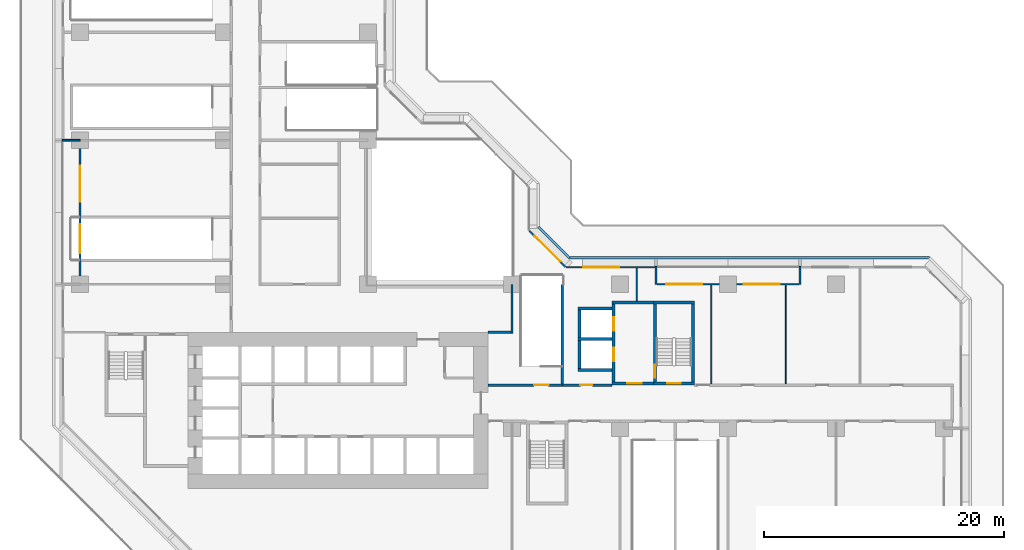
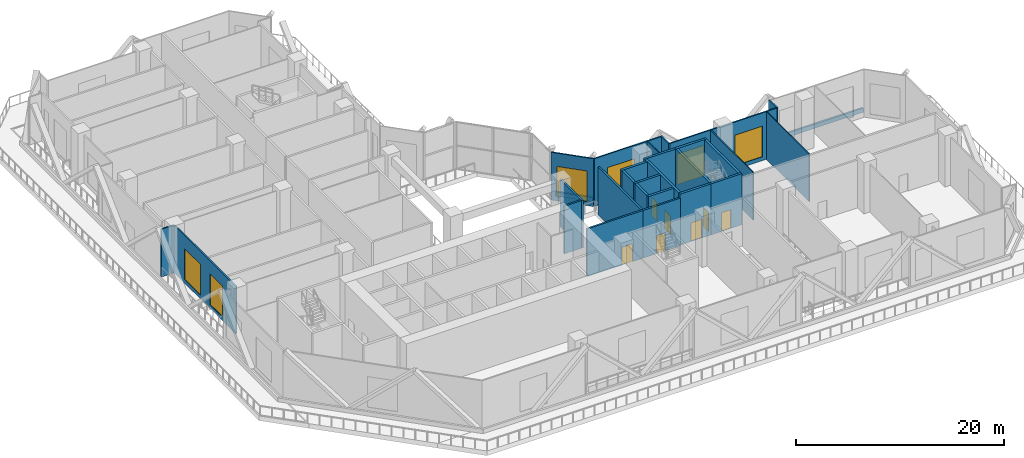
# One storey, part 6 of 16: 29 walls, 7 doors, 6 windows, 13 openings.
"""IFC4 building model written with IfcOpenShell, lengths in metres."""

from ifc_helpers import new_model, si_unit, direction, frame, frame_2d, origin, place, context, subcontext, project, spatial, rectangle, extrude, material, layer, layer_set, type_object, element, fill, save


model = new_model("IFC4")

# Units and contexts
model_context = context("Model", 3, precision=1e-05, world=origin(), true_north=direction((0.0, 1.0)))
body_context = subcontext(model_context, "Body", "Model", "MODEL_VIEW")
ifc_project = project(units=[si_unit("LENGTHUNIT", "METRE"), si_unit("AREAUNIT", "SQUARE_METRE"), si_unit("VOLUMEUNIT", "CUBIC_METRE"), si_unit("PLANEANGLEUNIT", "RADIAN"), si_unit("MASSUNIT", "GRAM", prefix="KILO")], contexts=[model_context])

# Site, building, storey
site_placement = place(None, origin())
site = spatial("IfcSite", under=ifc_project, at=site_placement, CompositionType="ELEMENT")
building_placement = place(site_placement, origin())
building = spatial("IfcBuilding", under=site, at=building_placement, Name="Chenar Terraces", CompositionType="ELEMENT")
storey_placement = place(building_placement, frame((0.0, 0.0, 35.39990234375)))
storey = spatial("IfcBuildingStorey", under=building, at=storey_placement, Name="L06", CompositionType="ELEMENT", Elevation=35.39990234375)

# Wall, opening, door
ifc_material_1 = material(Name="Concrete C70/85", Category="concrete")
ifc_layer_1 = layer(ifc_material_1, 0.25)
ifc_layer_set_1 = layer_set([ifc_layer_1], Name="Concrete C70/85")
wall_type_1 = type_object("IfcWallType", Name="Core wall 250 Concrete C70/85", PredefinedType="SHEAR", material=ifc_layer_set_1)
wall_1_placement = place(storey_placement, frame((47.77490234375, 15.72509765625, 0.0), z_axis=(0.0, 0.0, 1.0), x_axis=(1.0, 0.0, 0.0)))
wall_1 = element("IfcWall", 1, at=wall_1_placement, inside=storey, type_object=wall_type_1, Name="Core wall ST3_S L06", PredefinedType="SHEAR", context=body_context, shape_type="SweptSolid", body=[
    extrude(rectangle(XDim=3.4501953125, YDim=0.25, at=frame_2d((1.72509765625, 0.0))), origin(), (0.0, 0.0, 1.0), 6.0),
])
opening_1_placement = place(wall_1_placement, frame((1.175048828125, 0.0, 0.0)))
opening_1 = element("IfcOpeningElement", 2, at=opening_1_placement, cuts=wall_1, Name="Opening DL06-C8", PredefinedType="OPENING", context=body_context, shape_type="SweptSolid", body=[
    extrude(rectangle(XDim=1.10009765625, YDim=2.199951171875, at=frame_2d((0.550048828125, 1.10009765625))), frame((0.0, 0.135009765625, 0.0), z_axis=(0.0, -1.0, 0.0), x_axis=(1.0, 0.0, 0.0)), (0.0, 0.0, 1.0), 0.27001953125),
])
ifc_material_2 = material(Name="Steel-framed fire-resisting door leaf", Category="steel")
door_type_1 = type_object("IfcDoorType", Name="Stair fire door FD60 1100 x 2200", OperationType="SINGLE_SWING_LEFT", PredefinedType="DOOR", material=ifc_material_2)
door_1_placement = place(opening_1_placement, frame((1.10009765625, 0.0, 0.0), z_axis=(0.0, 0.0, 1.0), x_axis=(-1.0, 0.0, 0.0)))
door_1 = element("IfcDoor", 3, at=door_1_placement, inside=storey, type_object=door_type_1, Name="Stair door DL06-C8", OperationType="SINGLE_SWING_LEFT", OverallHeight=2.199951171875, OverallWidth=1.10009765625, PredefinedType="DOOR", context=body_context, shape_type="SweptSolid", body=[
    extrude(rectangle(XDim=1.10009765625, YDim=2.199951171875, at=frame_2d((0.550048828125, 1.10009765625))), frame((0.0, 0.02490234375, 0.0), z_axis=(0.0, -1.0, 0.0), x_axis=(1.0, 0.0, 0.0)), (0.0, 0.0, 1.0), 0.050048828125),
])
fill(opening_1, door_1)

# Wall
wall_2_placement = place(storey_placement, frame((47.77490234375, 22.47509765625, 0.0), z_axis=(0.0, 0.0, 1.0), x_axis=(1.0, 0.0, 0.0)))
element("IfcWall", 4, at=wall_2_placement, inside=storey, type_object=wall_type_1, Name="Core wall ST3_N L06", PredefinedType="SHEAR", context=body_context, shape_type="SweptSolid", body=[
    extrude(rectangle(XDim=3.4501953125, YDim=0.25, at=frame_2d((1.72509765625, 0.0))), origin(), (0.0, 0.0, 1.0), 6.0),
])

# Wall, opening, door
wall_3_placement = place(storey_placement, frame((47.89990234375, 15.85009765625, 0.0), z_axis=(0.0, 0.0, 1.0), x_axis=(0.0, 1.0, 0.0)))
wall_3 = element("IfcWall", 5, at=wall_3_placement, inside=storey, type_object=wall_type_1, Name="Core wall ST3_W L06", PredefinedType="SHEAR", context=body_context, shape_type="SweptSolid", body=[
    extrude(rectangle(XDim=6.5, YDim=0.25, at=frame_2d((3.25, 0.0))), origin(), (0.0, 0.0, 1.0), 6.0),
])
opening_2_placement = place(wall_3_placement, frame((0.35009765625, 0.0, 0.0)))
opening_2 = element("IfcOpeningElement", 6, at=opening_2_placement, cuts=wall_3, Name="Opening DL06-C11", PredefinedType="OPENING", context=body_context, shape_type="SweptSolid", body=[
    extrude(rectangle(XDim=1.10009765625, YDim=2.199951171875, at=frame_2d((0.550048828125, 1.10009765625))), frame((0.0, 0.135009765625, 0.0), z_axis=(0.0, -1.0, 0.0), x_axis=(1.0, 0.0, 0.0)), (0.0, 0.0, 1.0), 0.27001953125),
])
door_2_placement = place(opening_2_placement, frame((1.10009765625, 0.0, 0.0), z_axis=(0.0, 0.0, 1.0), x_axis=(-1.0, 0.0, 0.0)))
door_2 = element("IfcDoor", 7, at=door_2_placement, inside=storey, type_object=door_type_1, Name="Stair door DL06-C11", OperationType="SINGLE_SWING_RIGHT", OverallHeight=2.199951171875, OverallWidth=1.10009765625, PredefinedType="DOOR", context=body_context, shape_type="SweptSolid", body=[
    extrude(rectangle(XDim=1.10009765625, YDim=2.199951171875, at=frame_2d((0.550048828125, 1.10009765625))), frame((0.0, 0.02490234375, 0.0), z_axis=(0.0, -1.0, 0.0), x_axis=(1.0, 0.0, 0.0)), (0.0, 0.0, 1.0), 0.050048828125),
])
fill(opening_2, door_2)

# Wall
wall_4_placement = place(storey_placement, frame((51.10009765625, 15.85009765625, 0.0), z_axis=(0.0, 0.0, 1.0), x_axis=(0.0, 1.0, 0.0)))
element("IfcWall", 8, at=wall_4_placement, inside=storey, type_object=wall_type_1, Name="Core wall ST3_E L06", PredefinedType="SHEAR", context=body_context, shape_type="SweptSolid", body=[
    extrude(rectangle(XDim=6.5, YDim=0.25, at=frame_2d((3.25, 0.0))), origin(), (0.0, 0.0, 1.0), 6.0),
])

# Wall, opening, door
wall_5_placement = place(storey_placement, frame((44.35009765625, 15.72509765625, 0.0), z_axis=(0.0, 0.0, 1.0), x_axis=(1.0, 0.0, 0.0)))
wall_5 = element("IfcWall", 9, at=wall_5_placement, inside=storey, type_object=wall_type_1, Name="Core wall F3_LS L06", PredefinedType="SHEAR", context=body_context, shape_type="SweptSolid", body=[
    extrude(rectangle(XDim=3.4248046875, YDim=0.25, at=frame_2d((1.71240234375, 0.0))), origin(), (0.0, 0.0, 1.0), 6.0),
])
opening_3_placement = place(wall_5_placement, frame((1.25, 0.0, 0.0)))
opening_3 = element("IfcOpeningElement", 10, at=opening_3_placement, cuts=wall_5, Name="Opening DL06-C10", PredefinedType="OPENING", context=body_context, shape_type="SweptSolid", body=[
    extrude(rectangle(XDim=1.199951171875, YDim=2.199951171875, at=frame_2d((0.60009765625, 1.10009765625))), frame((0.0, 0.135009765625, 0.0), z_axis=(0.0, -1.0, 0.0), x_axis=(1.0, 0.0, 0.0)), (0.0, 0.0, 1.0), 0.27001953125),
])
ifc_material_3 = material(Name="Steel-framed fire-resisting door leaf", Category="steel")
door_type_2 = type_object("IfcDoorType", Name="Lobby fire door FD60 1200 x 2200", OperationType="SINGLE_SWING_LEFT", PredefinedType="DOOR", material=ifc_material_3)
door_3_placement = place(opening_3_placement, origin())
door_3 = element("IfcDoor", 11, at=door_3_placement, inside=storey, type_object=door_type_2, Name="Core door DL06-C10", OperationType="SINGLE_SWING_RIGHT", OverallHeight=2.199951171875, OverallWidth=1.199951171875, PredefinedType="DOOR", context=body_context, shape_type="SweptSolid", body=[
    extrude(rectangle(XDim=1.199951171875, YDim=2.199951171875, at=frame_2d((0.60009765625, 1.10009765625))), frame((0.0, 0.02490234375, 0.0), z_axis=(0.0, -1.0, 0.0), x_axis=(1.0, 0.0, 0.0)), (0.0, 0.0, 1.0), 0.050048828125),
])
fill(opening_3, door_3)

# Wall
wall_6_placement = place(storey_placement, frame((44.35009765625, 22.47509765625, 0.0), z_axis=(0.0, 0.0, 1.0), x_axis=(1.0, 0.0, 0.0)))
element("IfcWall", 12, at=wall_6_placement, inside=storey, type_object=wall_type_1, Name="Core wall F3_LN L06", PredefinedType="SHEAR", context=body_context, shape_type="SweptSolid", body=[
    extrude(rectangle(XDim=3.4248046875, YDim=0.25, at=frame_2d((1.71240234375, 0.0))), origin(), (0.0, 0.0, 1.0), 6.0),
])

# Wall, openings, doors
wall_7_placement = place(storey_placement, frame((44.47509765625, 15.85009765625, 0.0), z_axis=(0.0, 0.0, 1.0), x_axis=(0.0, 1.0, 0.0)))
wall_7 = element("IfcWall", 13, at=wall_7_placement, inside=storey, type_object=wall_type_1, Name="Core wall F3_LW L06", PredefinedType="SHEAR", context=body_context, shape_type="SweptSolid", body=[
    extrude(rectangle(XDim=6.5, YDim=0.25, at=frame_2d((3.25, 0.0))), origin(), (0.0, 0.0, 1.0), 6.0),
])
opening_4_placement = place(wall_7_placement, frame((1.75, 0.0, 0.0)))
opening_4 = element("IfcOpeningElement", 14, at=opening_4_placement, cuts=wall_7, Name="Opening DL06-LD8", PredefinedType="OPENING", context=body_context, shape_type="SweptSolid", body=[
    extrude(rectangle(XDim=1.10009765625, YDim=2.199951171875, at=frame_2d((0.550048828125, 1.10009765625))), frame((0.0, 0.135009765625, 0.0), z_axis=(0.0, -1.0, 0.0), x_axis=(1.0, 0.0, 0.0)), (0.0, 0.0, 1.0), 0.27001953125),
])
opening_5_placement = place(wall_7_placement, frame((4.300048828125, 0.0, 0.0)))
opening_5 = element("IfcOpeningElement", 15, at=opening_5_placement, cuts=wall_7, Name="Opening DL06-LD9", PredefinedType="OPENING", context=body_context, shape_type="SweptSolid", body=[
    extrude(rectangle(XDim=1.10009765625, YDim=2.199951171875, at=frame_2d((0.550048828125, 1.10009765625))), frame((0.0, 0.135009765625, 0.0), z_axis=(0.0, -1.0, 0.0), x_axis=(1.0, 0.0, 0.0)), (0.0, 0.0, 1.0), 0.27001953125),
])
ifc_material_4 = material(Name="Stainless steel", Category="steel")
door_type_3 = type_object("IfcDoorType", Name="Lift landing door 1100 x 2200 sliding", OperationType="DOUBLE_DOOR_SLIDING", PredefinedType="DOOR", material=ifc_material_4)
door_4_placement = place(opening_4_placement, origin())
door_4 = element("IfcDoor", 16, at=door_4_placement, inside=storey, type_object=door_type_3, Name="Landing door F3", OperationType="DOUBLE_DOOR_SLIDING", OverallHeight=2.199951171875, OverallWidth=1.10009765625, PredefinedType="DOOR", context=body_context, shape_type="SweptSolid", body=[
    extrude(rectangle(XDim=1.10009765625, YDim=2.199951171875, at=frame_2d((0.550048828125, 1.10009765625))), frame((0.0, 0.02490234375, 0.0), z_axis=(0.0, -1.0, 0.0), x_axis=(1.0, 0.0, 0.0)), (0.0, 0.0, 1.0), 0.050048828125),
])
fill(opening_4, door_4)
door_5_placement = place(opening_5_placement, origin())
door_5 = element("IfcDoor", 17, at=door_5_placement, inside=storey, type_object=door_type_3, Name="Landing door F4", OperationType="DOUBLE_DOOR_SLIDING", OverallHeight=2.199951171875, OverallWidth=1.10009765625, PredefinedType="DOOR", context=body_context, shape_type="SweptSolid", body=[
    extrude(rectangle(XDim=1.10009765625, YDim=2.199951171875, at=frame_2d((0.550048828125, 1.10009765625))), frame((0.0, 0.02490234375, 0.0), z_axis=(0.0, -1.0, 0.0), x_axis=(1.0, 0.0, 0.0)), (0.0, 0.0, 1.0), 0.050048828125),
])
fill(opening_5, door_5)

# Walls
for number, where, z_axis, x_axis, name in (
    (18, (41.5, 16.875, 0.0), (0.0, 0.0, 1.0), (1.0, 0.0, 0.0), "Core wall F3_SS L06"),
    (19, (41.5, 19.425048828125, 0.0), (0.0, 0.0, 1.0), (1.0, 0.0, 0.0), "Core wall F3_SM L06"),
    (20, (41.5, 21.97509765625, 0.0), (0.0, 0.0, 1.0), (1.0, 0.0, 0.0), "Core wall F4_SN L06"),
):
    element("IfcWall", number, at=place(storey_placement, frame(where, z_axis=z_axis, x_axis=x_axis)), inside=storey, type_object=wall_type_1, Name=name, PredefinedType="SHEAR", context=body_context, shape_type="SweptSolid", body=[
        extrude(rectangle(XDim=2.85009765625, YDim=0.25, at=frame_2d((1.425048828125, 0.0))), origin(), (0.0, 0.0, 1.0), 6.0),
    ])
for number, where, z_axis, x_axis, name in (
    (21, (41.625, 17.0, 0.0), (0.0, 0.0, 1.0), (0.0, 1.0, 0.0), "Core wall F3_SW L06"),
    (22, (41.625, 19.550048828125, 0.0), (0.0, 0.0, 1.0), (0.0, 1.0, 0.0), "Core wall F4_SW L06"),
):
    element("IfcWall", number, at=place(storey_placement, frame(where, z_axis=z_axis, x_axis=x_axis)), inside=storey, type_object=wall_type_1, Name=name, PredefinedType="SHEAR", context=body_context, shape_type="SweptSolid", body=[
        extrude(rectangle(XDim=2.300048828125, YDim=0.25, at=frame_2d((1.14990234375, 0.0))), origin(), (0.0, 0.0, 1.0), 6.0),
    ])

# Wall, opening, door
ifc_material_5 = material(Name="Gypsum board on steel studs with fire boards", Category="steel")
ifc_layer_2 = layer(ifc_material_5, 0.199951171875)
ifc_layer_set_2 = layer_set([ifc_layer_2], Name="Gypsum board on steel studs with fire boards")
wall_type_2 = type_object("IfcWallType", Name="Corridor wall 200", PredefinedType="PARTITIONING", material=ifc_layer_set_2)
wall_8_placement = place(storey_placement, frame((40.199951171875, 15.60009765625, 0.0), z_axis=(0.0, 0.0, 1.0), x_axis=(1.0, 0.0, 0.0)))
wall_8 = element("IfcWall", 23, at=wall_8_placement, inside=storey, type_object=wall_type_2, Name="Partition L06-046", PredefinedType="PARTITIONING", context=body_context, shape_type="SweptSolid", body=[
    extrude(rectangle(XDim=4.150146484375, YDim=0.199951171875, at=frame_2d((2.0751953125, 0.0))), origin(), (0.0, 0.0, 1.0), 5.60009765625),
])
opening_6_placement = place(wall_8_placement, frame((1.5, 0.0, 0.0)))
opening_6 = element("IfcOpeningElement", 24, at=opening_6_placement, cuts=wall_8, Name="Opening DL06-1", PredefinedType="OPENING", context=body_context, shape_type="SweptSolid", body=[
    extrude(rectangle(XDim=1.0, YDim=2.10009765625, at=frame_2d((0.5, 1.050048828125))), frame((0.0, 0.10986328125, 0.0), z_axis=(0.0, -1.0, 0.0), x_axis=(1.0, 0.0, 0.0)), (0.0, 0.0, 1.0), 0.219970703125),
])
ifc_material_6 = material(Name="Steel-framed fire-resisting door leaf", Category="steel")
door_type_4 = type_object("IfcDoorType", Name="Fire door FD60 1000 x 2100", OperationType="SINGLE_SWING_LEFT", PredefinedType="DOOR", material=ifc_material_6)
door_6_placement = place(opening_6_placement, origin())
door_6 = element("IfcDoor", 25, at=door_6_placement, inside=storey, type_object=door_type_4, Name="Door DL06-1", OperationType="SINGLE_SWING_LEFT", OverallHeight=2.10009765625, OverallWidth=1.0, PredefinedType="DOOR", context=body_context, shape_type="SweptSolid", body=[
    extrude(rectangle(XDim=1.0, YDim=2.10009765625, at=frame_2d((0.5, 1.050048828125))), frame((0.0, 0.02490234375, 0.0), z_axis=(0.0, -1.0, 0.0), x_axis=(1.0, 0.0, 0.0)), (0.0, 0.0, 1.0), 0.050048828125),
])
fill(opening_6, door_6)

# Wall, opening, window
ifc_material_7 = material(Name="Aluminium framed glazing", Category="aluminium")
ifc_layer_3 = layer(ifc_material_7, 0.14990234375)
ifc_layer_set_3 = layer_set([ifc_layer_3], Name="Aluminium framed glazing")
wall_type_3 = type_object("IfcWallType", Name="Glazed flush facade wall 150", PredefinedType="SOLIDWALL", material=ifc_layer_set_3)
wall_9_placement = place(storey_placement, frame((47.925048828125, 25.425048828125, 0.0), z_axis=(0.0, 0.0, 1.0), x_axis=(-1.0, 0.0, 0.0)))
wall_9 = element("IfcWall", 26, at=wall_9_placement, inside=storey, type_object=wall_type_3, Name="Glazed flush facade wall", PredefinedType="SOLIDWALL", context=body_context, shape_type="SweptSolid", body=[
    extrude(rectangle(XDim=7.425048828125, YDim=0.14990234375, at=frame_2d((3.71240234375, 0.0))), origin(), (0.0, 0.0, 1.0), 5.60009765625),
])
opening_7_placement = place(wall_9_placement, frame((2.97509765625, 0.0, 0.449951171875)))
opening_7 = element("IfcOpeningElement", 27, at=opening_7_placement, cuts=wall_9, Name="Opening W300x360", PredefinedType="OPENING", context=body_context, shape_type="SweptSolid", body=[
    extrude(rectangle(XDim=3.0, YDim=3.60009765625, at=frame_2d((1.5, 1.800048828125))), frame((0.0, 0.0849609375, 0.0), z_axis=(0.0, -1.0, 0.0), x_axis=(1.0, 0.0, 0.0)), (0.0, 0.0, 1.0), 0.169921875),
])
ifc_material_8 = material(Name="Low emissivity double glazing, aluminium frame", Category="aluminium")
window_type_1 = type_object("IfcWindowType", Name="Fixed light 3000 x 3600", PartitioningType="SINGLE_PANEL", PredefinedType="WINDOW", material=ifc_material_8)
window_1_placement = place(opening_7_placement, origin())
window_1 = element("IfcWindow", 28, at=window_1_placement, inside=storey, type_object=window_type_1, Name="Window", OverallHeight=3.60009765625, OverallWidth=3.0, PartitioningType="SINGLE_PANEL", PredefinedType="WINDOW", context=body_context, shape_type="SweptSolid", body=[
    extrude(rectangle(XDim=3.0, YDim=3.60009765625, at=frame_2d((1.5, 1.800048828125))), frame((0.0, 0.030029296875, 0.0), z_axis=(0.0, -1.0, 0.0), x_axis=(1.0, 0.0, 0.0)), (0.0, 0.0, 1.0), 0.06005859375),
])
fill(opening_7, window_1)

# Wall, openings, windows
ifc_material_9 = material(Name="Aluminium framed glazing", Category="aluminium")
ifc_layer_4 = layer(ifc_material_9, 0.14990234375)
ifc_layer_set_4 = layer_set([ifc_layer_4], Name="Aluminium framed glazing")
wall_type_4 = type_object("IfcWallType", Name="Glazed loggia back wall 150", PredefinedType="SOLIDWALL", material=ifc_layer_set_4)
wall_10_placement = place(storey_placement, frame((59.925048828125, 24.0, 0.0), z_axis=(0.0, 0.0, 1.0), x_axis=(-1.0, 0.0, 0.0)))
wall_10 = element("IfcWall", 29, at=wall_10_placement, inside=storey, type_object=wall_type_4, Name="Glazed loggia back wall", PredefinedType="SOLIDWALL", context=body_context, shape_type="SweptSolid", body=[
    extrude(rectangle(XDim=11.85009765625, YDim=0.14990234375, at=frame_2d((5.925048828125, 0.0))), origin(), (0.0, 0.0, 1.0), 5.60009765625),
])
opening_8_placement = place(wall_10_placement, frame((1.625, 0.0, 0.449951171875)))
opening_8 = element("IfcOpeningElement", 30, at=opening_8_placement, cuts=wall_10, Name="Opening W300x360", PredefinedType="OPENING", context=body_context, shape_type="SweptSolid", body=[
    extrude(rectangle(XDim=3.0, YDim=3.60009765625, at=frame_2d((1.5, 1.800048828125))), frame((0.0, 0.0849609375, 0.0), z_axis=(0.0, -1.0, 0.0), x_axis=(1.0, 0.0, 0.0)), (0.0, 0.0, 1.0), 0.169921875),
])
opening_9_placement = place(wall_10_placement, frame((8.08740234375, 0.0, 0.449951171875)))
opening_9 = element("IfcOpeningElement", 31, at=opening_9_placement, cuts=wall_10, Name="Opening W300x360", PredefinedType="OPENING", context=body_context, shape_type="SweptSolid", body=[
    extrude(rectangle(XDim=3.0, YDim=3.60009765625, at=frame_2d((1.5, 1.800048828125))), frame((0.0, 0.0849609375, 0.0), z_axis=(0.0, -1.0, 0.0), x_axis=(1.0, 0.0, 0.0)), (0.0, 0.0, 1.0), 0.169921875),
])
window_2_placement = place(opening_8_placement, origin())
window_2 = element("IfcWindow", 32, at=window_2_placement, inside=storey, type_object=window_type_1, Name="Window", OverallHeight=3.60009765625, OverallWidth=3.0, PartitioningType="SINGLE_PANEL", PredefinedType="WINDOW", context=body_context, shape_type="SweptSolid", body=[
    extrude(rectangle(XDim=3.0, YDim=3.60009765625, at=frame_2d((1.5, 1.800048828125))), frame((0.0, 0.030029296875, 0.0), z_axis=(0.0, -1.0, 0.0), x_axis=(1.0, 0.0, 0.0)), (0.0, 0.0, 1.0), 0.06005859375),
])
fill(opening_8, window_2)
window_3_placement = place(opening_9_placement, origin())
window_3 = element("IfcWindow", 33, at=window_3_placement, inside=storey, type_object=window_type_1, Name="Window", OverallHeight=3.60009765625, OverallWidth=3.0, PartitioningType="SINGLE_PANEL", PredefinedType="WINDOW", context=body_context, shape_type="SweptSolid", body=[
    extrude(rectangle(XDim=3.0, YDim=3.60009765625, at=frame_2d((1.5, 1.800048828125))), frame((0.0, 0.030029296875, 0.0), z_axis=(0.0, -1.0, 0.0), x_axis=(1.0, 0.0, 0.0)), (0.0, 0.0, 1.0), 0.06005859375),
])
fill(opening_9, window_3)

wall_11_placement = place(storey_placement, frame((0.0, 35.925048828125, 0.0), z_axis=(0.0, 0.0, 1.0), x_axis=(0.0, -1.0, 0.0)))
wall_11 = element("IfcWall", 34, at=wall_11_placement, inside=storey, type_object=wall_type_4, Name="Glazed loggia back wall", PredefinedType="SOLIDWALL", context=body_context, shape_type="SweptSolid", body=[
    extrude(rectangle(XDim=11.85009765625, YDim=0.14990234375, at=frame_2d((5.925048828125, 0.0))), origin(), (0.0, 0.0, 1.0), 5.60009765625),
])
opening_10_placement = place(wall_11_placement, frame((2.02490234375, 0.0, 0.449951171875)))
opening_10 = element("IfcOpeningElement", 35, at=opening_10_placement, cuts=wall_11, Name="Opening W300x360", PredefinedType="OPENING", context=body_context, shape_type="SweptSolid", body=[
    extrude(rectangle(XDim=3.0, YDim=3.60009765625, at=frame_2d((1.5, 1.800048828125))), frame((0.0, 0.0849609375, 0.0), z_axis=(0.0, -1.0, 0.0), x_axis=(1.0, 0.0, 0.0)), (0.0, 0.0, 1.0), 0.169921875),
])
opening_11_placement = place(wall_11_placement, frame((6.925048828125, 0.0, 0.449951171875)))
opening_11 = element("IfcOpeningElement", 36, at=opening_11_placement, cuts=wall_11, Name="Opening W240x360", PredefinedType="OPENING", context=body_context, shape_type="SweptSolid", body=[
    extrude(rectangle(XDim=2.39990234375, YDim=3.60009765625, at=frame_2d((1.199951171875, 1.800048828125))), frame((0.0, 0.0849609375, 0.0), z_axis=(0.0, -1.0, 0.0), x_axis=(1.0, 0.0, 0.0)), (0.0, 0.0, 1.0), 0.169921875),
])
ifc_material_10 = material(Name="Low emissivity double glazing, aluminium frame", Category="aluminium")
window_type_2 = type_object("IfcWindowType", Name="Fixed light 2400 x 3600", PartitioningType="SINGLE_PANEL", PredefinedType="WINDOW", material=ifc_material_10)
window_4_placement = place(opening_11_placement, origin())
window_4 = element("IfcWindow", 37, at=window_4_placement, inside=storey, type_object=window_type_2, Name="Window", OverallHeight=3.60009765625, OverallWidth=2.39990234375, PartitioningType="SINGLE_PANEL", PredefinedType="WINDOW", context=body_context, shape_type="SweptSolid", body=[
    extrude(rectangle(XDim=2.39990234375, YDim=3.60009765625, at=frame_2d((1.199951171875, 1.800048828125))), frame((0.0, 0.030029296875, 0.0), z_axis=(0.0, -1.0, 0.0), x_axis=(1.0, 0.0, 0.0)), (0.0, 0.0, 1.0), 0.06005859375),
])
fill(opening_11, window_4)
window_5_placement = place(opening_10_placement, origin())
window_5 = element("IfcWindow", 38, at=window_5_placement, inside=storey, type_object=window_type_1, Name="Window", OverallHeight=3.60009765625, OverallWidth=3.0, PartitioningType="SINGLE_PANEL", PredefinedType="WINDOW", context=body_context, shape_type="SweptSolid", body=[
    extrude(rectangle(XDim=3.0, YDim=3.60009765625, at=frame_2d((1.5, 1.800048828125))), frame((0.0, 0.030029296875, 0.0), z_axis=(0.0, -1.0, 0.0), x_axis=(1.0, 0.0, 0.0)), (0.0, 0.0, 1.0), 0.06005859375),
])
fill(opening_10, window_5)

# Walls
ifc_material_11 = material(Name="Gypsum board on steel studs", Category="steel")
ifc_layer_5 = layer(ifc_material_11, 0.10009765625)
ifc_layer_set_5 = layer_set([ifc_layer_5], Name="Gypsum board on steel studs")
wall_type_5 = type_object("IfcWallType", Name="Gypsum partition 100", PredefinedType="PARTITIONING", material=ifc_layer_set_5)
wall_12_placement = place(storey_placement, frame((46.39990234375, 22.60009765625, 0.0), z_axis=(0.0, 0.0, 1.0), x_axis=(0.0, 1.0, 0.0)))
element("IfcWall", 39, at=wall_12_placement, inside=storey, type_object=wall_type_5, Name="Partition L06-051", PredefinedType="PARTITIONING", context=body_context, shape_type="SweptSolid", body=[
    extrude(rectangle(XDim=2.7509765625, YDim=0.10009765625, at=frame_2d((1.37548828125, 0.0))), origin(), (0.0, 0.0, 1.0), 5.60009765625),
])
for number, where, z_axis, x_axis, name in (
    (40, (52.60009765625, 15.699951171875, 0.0), (0.0, 0.0, 1.0), (0.0, 1.0, 0.0), "Partition L06-054"),
    (41, (58.800048828125, 15.699951171875, 0.0), (0.0, 0.0, 1.0), (0.0, 1.0, 0.0), "Partition L06-057"),
):
    element("IfcWall", number, at=place(storey_placement, frame(where, z_axis=z_axis, x_axis=x_axis)), inside=storey, type_object=wall_type_5, Name=name, PredefinedType="PARTITIONING", context=body_context, shape_type="SweptSolid", body=[
        extrude(rectangle(XDim=8.22607421875, YDim=0.10009765625, at=frame_2d((4.113037109375, 0.0))), origin(), (0.0, 0.0, 1.0), 5.60009765625),
    ])
ifc_material_12 = material(Name="Terracotta cladding on insulated backing", Category="masonry")
ifc_layer_6 = layer(ifc_material_12, 0.14990234375)
ifc_layer_set_6 = layer_set([ifc_layer_6], Name="Terracotta cladding on insulated backing")
wall_type_6 = type_object("IfcWallType", Name="Loggia return wall 150", PredefinedType="SOLIDWALL", material=ifc_layer_set_6)
for number, where, z_axis, x_axis, name in (
    (42, (60.0, 25.5, 0.0), (0.0, 0.0, 1.0), (0.0, -1.0, 0.0), "Loggia return wall"),
    (43, (48.0, 25.5, 0.0), (0.0, 0.0, 1.0), (0.0, -1.0, 0.0), "Loggia return wall"),
    (44, (-1.5, 36.0, 0.0), (0.0, 0.0, 1.0), (1.0, 0.0, 0.0), "Loggia return wall"),
):
    element("IfcWall", number, at=place(storey_placement, frame(where, z_axis=z_axis, x_axis=x_axis)), inside=storey, type_object=wall_type_6, Name=name, PredefinedType="SOLIDWALL", context=body_context, shape_type="SweptSolid", body=[
        extrude(rectangle(XDim=1.5, YDim=0.14990234375, at=frame_2d((0.75, 0.0))), origin(), (0.0, 0.0, 1.0), 5.60009765625),
    ])

# Wall, opening, door
ifc_material_13 = material(Name="Reinforced concrete C40/50", Category="concrete")
ifc_layer_7 = layer(ifc_material_13, 0.199951171875)
ifc_layer_set_7 = layer_set([ifc_layer_7], Name="Reinforced concrete C40/50")
wall_type_7 = type_object("IfcWallType", Name="Stair enclosure wall 200 concrete", PredefinedType="SOLIDWALL", material=ifc_layer_set_7)
wall_13_placement = place(storey_placement, frame((34.0, 15.60009765625, 0.0), z_axis=(0.0, 0.0, 1.0), x_axis=(1.0, 0.0, 0.0)))
wall_13 = element("IfcWall", 45, at=wall_13_placement, inside=storey, type_object=wall_type_7, Name="Stair enclosure wall L06-042", PredefinedType="SOLIDWALL", context=body_context, shape_type="SweptSolid", body=[
    extrude(rectangle(XDim=6.199951171875, YDim=0.199951171875, at=frame_2d((3.10009765625, 0.0))), origin(), (0.0, 0.0, 1.0), 5.60009765625),
])
opening_12_placement = place(wall_13_placement, frame((3.85009765625, 0.0, 0.0)))
opening_12 = element("IfcOpeningElement", 46, at=opening_12_placement, cuts=wall_13, Name="Opening DL06-23", PredefinedType="OPENING", context=body_context, shape_type="SweptSolid", body=[
    extrude(rectangle(XDim=1.199951171875, YDim=2.10009765625, at=frame_2d((0.60009765625, 1.050048828125))), frame((0.0, 0.10986328125, 0.0), z_axis=(0.0, -1.0, 0.0), x_axis=(1.0, 0.0, 0.0)), (0.0, 0.0, 1.0), 0.219970703125),
])
ifc_material_14 = material(Name="Steel-framed fire-resisting door leaf", Category="steel")
door_type_5 = type_object("IfcDoorType", Name="Fire door FD120 1200 x 2100", OperationType="SINGLE_SWING_LEFT", PredefinedType="DOOR", material=ifc_material_14)
door_7_placement = place(opening_12_placement, origin())
door_7 = element("IfcDoor", 47, at=door_7_placement, inside=storey, type_object=door_type_5, Name="Door DL06-23", OperationType="SINGLE_SWING_RIGHT", OverallHeight=2.10009765625, OverallWidth=1.199951171875, PredefinedType="DOOR", context=body_context, shape_type="SweptSolid", body=[
    extrude(rectangle(XDim=1.199951171875, YDim=2.10009765625, at=frame_2d((0.60009765625, 1.050048828125))), frame((0.0, 0.02490234375, 0.0), z_axis=(0.0, -1.0, 0.0), x_axis=(1.0, 0.0, 0.0)), (0.0, 0.0, 1.0), 0.050048828125),
])
fill(opening_12, door_7)

# Walls
wall_14_placement = place(storey_placement, frame((34.0, 20.0, 0.0), z_axis=(0.0, 0.0, 1.0), x_axis=(1.0, 0.0, 0.0)))
element("IfcWall", 48, at=wall_14_placement, inside=storey, type_object=wall_type_7, Name="Stair enclosure wall L06-043", PredefinedType="SOLIDWALL", context=body_context, shape_type="SweptSolid", body=[
    extrude(rectangle(XDim=1.89990234375, YDim=0.199951171875, at=frame_2d((0.949951171875, 0.0))), origin(), (0.0, 0.0, 1.0), 5.60009765625),
])
wall_15_placement = place(storey_placement, frame((36.0, 19.89990234375, 0.0), z_axis=(0.0, 0.0, 1.0), x_axis=(0.0, 1.0, 0.0)))
element("IfcWall", 49, at=wall_15_placement, inside=storey, type_object=wall_type_7, Name="Stair enclosure wall L06-045", PredefinedType="SOLIDWALL", context=body_context, shape_type="SweptSolid", body=[
    extrude(rectangle(XDim=4.10009765625, YDim=0.199951171875, at=frame_2d((2.050048828125, 0.0))), origin(), (0.0, 0.0, 1.0), 5.60009765625),
])
wall_16_placement = place(storey_placement, frame((40.199951171875, 15.699951171875, 0.0), z_axis=(0.0, 0.0, 1.0), x_axis=(0.0, 1.0, 0.0)))
element("IfcWall", 50, at=wall_16_placement, inside=storey, type_object=wall_type_7, Name="Stair enclosure wall L06-047", PredefinedType="SOLIDWALL", context=body_context, shape_type="SweptSolid", body=[
    extrude(rectangle(XDim=8.300048828125, YDim=0.199951171875, at=frame_2d((4.14990234375, 0.0))), origin(), (0.0, 0.0, 1.0), 5.60009765625),
])
ifc_material_15 = material(Name="Terracotta cladding on insulated backing", Category="masonry")
ifc_layer_8 = layer(ifc_material_15, 0.199951171875)
ifc_layer_set_8 = layer_set([ifc_layer_8], Name="Terracotta cladding on insulated backing")
wall_type_8 = type_object("IfcWallType", Name="Terrace parapet upstand 200", PredefinedType="PARAPET", material=ifc_layer_set_8)
wall_17_placement = place(storey_placement, frame((38.199951171875, 28.7900390625, 0.0), z_axis=(0.0, 0.0, 1.0), x_axis=(0.707106781187, -0.707106781187, 0.0)))
element("IfcWall", 51, at=wall_17_placement, inside=storey, type_object=wall_type_8, Name="Terrace parapet", PredefinedType="PARAPET", context=body_context, shape_type="SweptSolid", body=[
    extrude(rectangle(XDim=3.662841796875, YDim=0.199951171875, at=frame_2d((1.83154296875, 0.0))), origin(), (0.0, 0.0, 1.0), 0.5),
])
wall_18_placement = place(storey_placement, frame((40.7900390625, 26.199951171875, 0.0), z_axis=(0.0, 0.0, 1.0), x_axis=(1.0, 0.0, 0.0)))
element("IfcWall", 52, at=wall_18_placement, inside=storey, type_object=wall_type_8, Name="Terrace parapet", PredefinedType="PARAPET", context=body_context, shape_type="SweptSolid", body=[
    extrude(rectangle(XDim=30.0, YDim=0.199951171875, at=frame_2d((15.0, 0.0))), origin(), (0.0, 0.0, 1.0), 0.5),
])

# Wall, opening, window
ifc_material_16 = material(Name="Terracotta cladding on insulated backing", Category="masonry")
ifc_layer_9 = layer(ifc_material_16, 0.14990234375)
ifc_layer_set_9 = layer_set([ifc_layer_9], Name="Terracotta cladding on insulated backing")
wall_type_9 = type_object("IfcWallType", Name="Terracotta rainscreen wall 150", PredefinedType="SOLIDWALL", material=ifc_layer_set_9)
wall_19_placement = place(storey_placement, frame((40.447021484375, 25.447021484375, 0.0), z_axis=(0.0, 0.0, 1.0), x_axis=(-0.707106781187, 0.707106781187, 0.0)))
wall_19 = element("IfcWall", 53, at=wall_19_placement, inside=storey, type_object=wall_type_9, Name="Terracotta rainscreen wall", PredefinedType="SOLIDWALL", context=body_context, shape_type="SweptSolid", body=[
    extrude(rectangle(XDim=4.24267578125, YDim=0.14990234375, at=frame_2d((2.121337890625, 0.0))), origin(), (0.0, 0.0, 1.0), 5.60009765625),
])
opening_13_placement = place(wall_19_placement, frame((0.621337890625, 0.0, 0.449951171875)))
opening_13 = element("IfcOpeningElement", 54, at=opening_13_placement, cuts=wall_19, Name="Opening W300x360", PredefinedType="OPENING", context=body_context, shape_type="SweptSolid", body=[
    extrude(rectangle(XDim=3.0, YDim=3.60009765625, at=frame_2d((1.5, 1.800048828125))), frame((0.0, 0.0849609375, 0.0), z_axis=(0.0, -1.0, 0.0), x_axis=(1.0, 0.0, 0.0)), (0.0, 0.0, 1.0), 0.169921875),
])
window_6_placement = place(opening_13_placement, origin())
window_6 = element("IfcWindow", 55, at=window_6_placement, inside=storey, type_object=window_type_1, Name="Window", OverallHeight=3.60009765625, OverallWidth=3.0, PartitioningType="SINGLE_PANEL", PredefinedType="WINDOW", context=body_context, shape_type="SweptSolid", body=[
    extrude(rectangle(XDim=3.0, YDim=3.60009765625, at=frame_2d((1.5, 1.800048828125))), frame((0.0, 0.030029296875, 0.0), z_axis=(0.0, -1.0, 0.0), x_axis=(1.0, 0.0, 0.0)), (0.0, 0.0, 1.0), 0.06005859375),
])
fill(opening_13, window_6)

save(model, "model.ifc")
